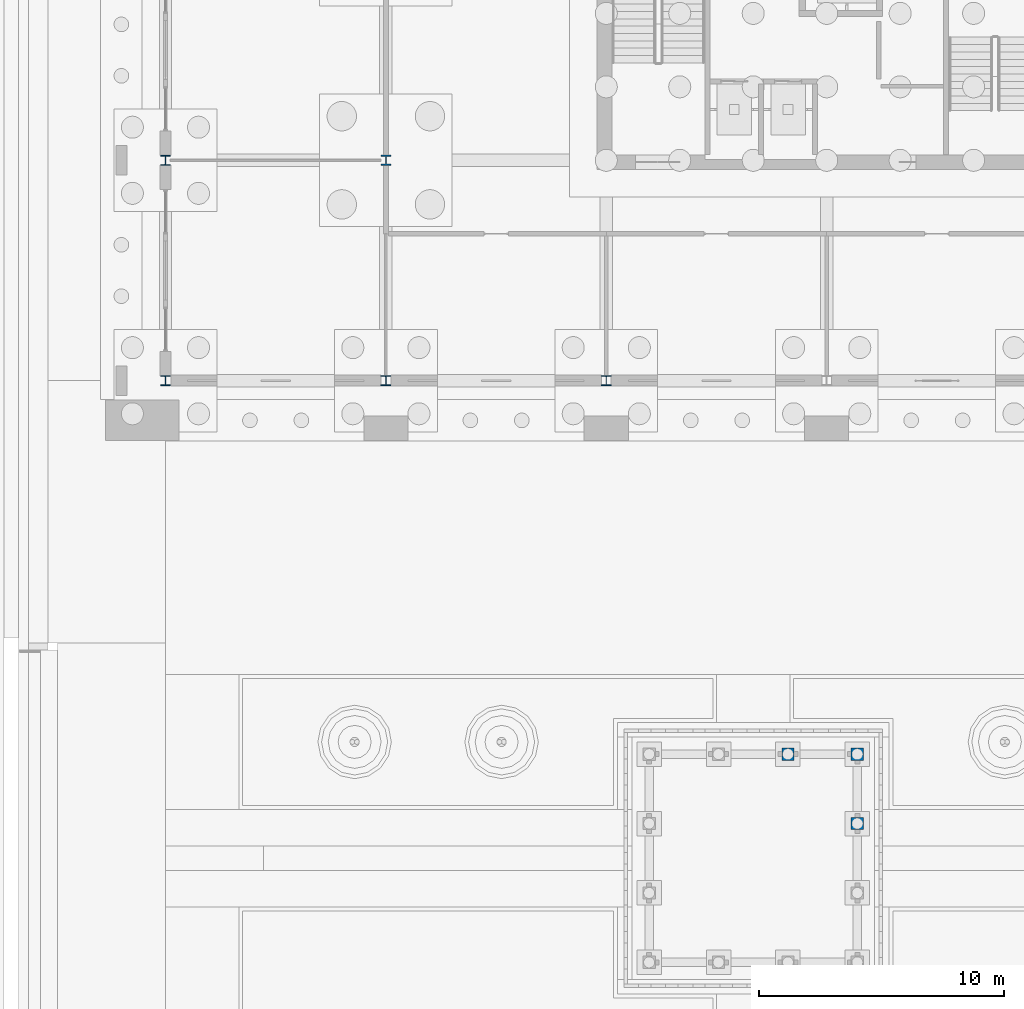
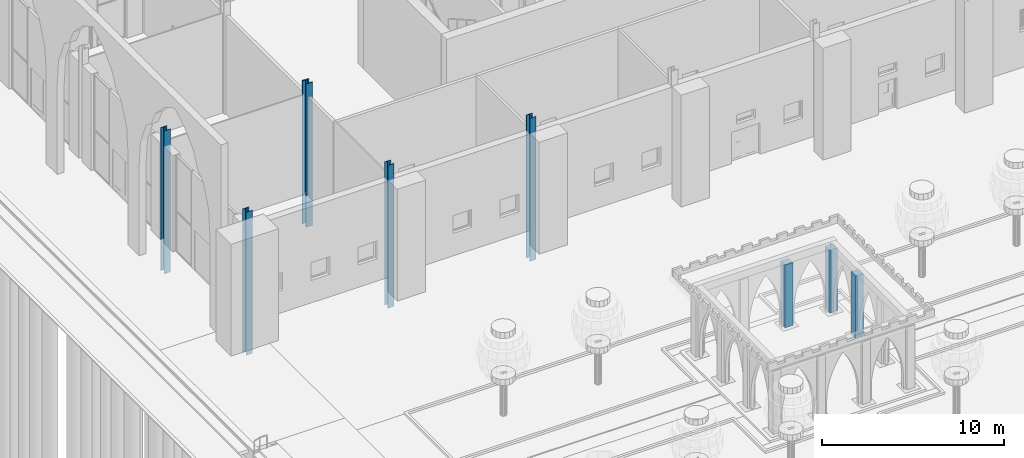
# One storey, part 14 of 250: 8 columns.
"""IFC4 building model written with IfcOpenShell, lengths in metres."""

from ifc_helpers import new_model, si_unit, direction, frame, origin, origin_2d, place, context, subcontext, project, spatial, rectangle, i_section, extrude, material, material_profile, profile_set, type_object, element, save


model = new_model("IFC4")

# Units and contexts
model_context = context("Model", 3, precision=1e-05, world=origin(), true_north=direction((0.0, 1.0)))
body_context = subcontext(model_context, "Body", "Model", "MODEL_VIEW")
ifc_project = project(units=[si_unit("LENGTHUNIT", "METRE"), si_unit("AREAUNIT", "SQUARE_METRE"), si_unit("VOLUMEUNIT", "CUBIC_METRE"), si_unit("PLANEANGLEUNIT", "RADIAN"), si_unit("MASSUNIT", "GRAM", prefix="KILO")], contexts=[model_context])

# Site, building, storey
site_placement = place(None, origin())
site = spatial("IfcSite", under=ifc_project, at=site_placement, CompositionType="ELEMENT")
building_placement = place(site_placement, origin())
building = spatial("IfcBuilding", under=site, at=building_placement, Name="Baradari Gate Terminus", CompositionType="ELEMENT")
storey_placement = place(building_placement, origin())
storey = spatial("IfcBuildingStorey", under=building, at=storey_placement, Name="L00", CompositionType="ELEMENT", Elevation=0.0)

# Columns
ifc_material_1 = material(Name="Precast concrete C40/50", Category="concrete")
ifc_material_profile_1 = material_profile(ifc_material_1, rectangle(XDim=0.5, YDim=0.5, at=origin_2d()), Name="RC500X500")
ifc_profile_set_1 = profile_set([ifc_material_profile_1], Name="Precast concrete C40/50")
column_type_1 = type_object("IfcColumnType", Name="Court pavilion column CPC-1 500x500", PredefinedType="COLUMN", material=ifc_profile_set_1)
for number, where, z_axis, x_axis, name in (
    (1, (37.25, 98.916748046875, 0.14990234375), (0.0, 0.0, 1.0), (1.0, 0.0, 0.0), "Court pavilion column 6"),
    (2, (37.25, 101.75, 0.14990234375), (0.0, 0.0, 1.0), (1.0, 0.0, 0.0), "Court pavilion column 7"),
    (3, (34.416748046875, 101.75, 0.14990234375), (0.0, 0.0, 1.0), (1.0, 0.0, 0.0), "Court pavilion column 8"),
):
    element("IfcColumn", number, at=place(storey_placement, frame(where, z_axis=z_axis, x_axis=x_axis)), inside=storey, type_object=column_type_1, Name=name, PredefinedType="COLUMN", context=body_context, shape_type="SweptSolid", body=[
        extrude(rectangle(XDim=0.5, YDim=0.5, at=origin_2d()), origin(), (0.0, 0.0, 1.0), 4.2001953125),
    ])
ifc_material_2 = material(Name="Steel S355", Category="steel")
ifc_material_profile_2 = material_profile(ifc_material_2, i_section(OverallWidth=0.412109375, OverallDepth=0.4365234375, WebThickness=0.035888671875, FlangeThickness=0.05810546875, FilletRadius=0.01513671875, at=origin_2d()), Name="UC 356x406x467")
ifc_profile_set_2 = profile_set([ifc_material_profile_2], Name="Steel S355")
column_type_2 = type_object("IfcColumnType", Name="Operations block column C02 UC 356x406x467", PredefinedType="COLUMN", material=ifc_profile_set_2)
column_placement = place(storey_placement, frame((18.0, 126.0, -2.10009765625), z_axis=(0.0, 0.0, 1.0), x_axis=(1.0, 0.0, 0.0)))
element("IfcColumn", 4, at=column_placement, inside=storey, type_object=column_type_2, Name="C02 column 3-Q L00", PredefinedType="COLUMN", context=body_context, shape_type="SweptSolid", body=[
    extrude(i_section(OverallWidth=0.412109375, OverallDepth=0.4365234375, WebThickness=0.035888671875, FlangeThickness=0.05810546875, FilletRadius=0.01513671875, at=origin_2d()), origin(), (0.0, 0.0, 1.0), 9.60009765625),
])
ifc_material_3 = material(Name="Steel S355", Category="steel")
ifc_material_profile_3 = material_profile(ifc_material_3, i_section(OverallWidth=0.39892578125, OverallDepth=0.3935546875, WebThickness=0.015869140625, FlangeThickness=0.02490234375, FilletRadius=0.01513671875, at=origin_2d()), Name="UC 356x406x287")
ifc_profile_set_3 = profile_set([ifc_material_profile_3], Name="Steel S355")
column_type_3 = type_object("IfcColumnType", Name="Operations block perimeter column C01 UC 356x406x287", PredefinedType="COLUMN", material=ifc_profile_set_3)
for number, where, z_axis, x_axis, name in (
    (5, (9.0, 117.0, -2.10009765625), (0.0, 0.0, 1.0), (1.0, 0.0, 0.0), "C01 column 2-P L00"),
    (6, (9.0, 126.0, -2.10009765625), (0.0, 0.0, 1.0), (1.0, 0.0, 0.0), "C01 column 2-Q L00"),
    (7, (18.0, 117.0, -2.10009765625), (0.0, 0.0, 1.0), (1.0, 0.0, 0.0), "C01 column 3-P L00"),
    (8, (27.0, 117.0, -2.10009765625), (0.0, 0.0, 1.0), (1.0, 0.0, 0.0), "C01 column 4-P L00"),
):
    element("IfcColumn", number, at=place(storey_placement, frame(where, z_axis=z_axis, x_axis=x_axis)), inside=storey, type_object=column_type_3, Name=name, PredefinedType="COLUMN", context=body_context, shape_type="SweptSolid", body=[
        extrude(i_section(OverallWidth=0.39892578125, OverallDepth=0.3935546875, WebThickness=0.015869140625, FlangeThickness=0.02490234375, FilletRadius=0.01513671875, at=origin_2d()), origin(), (0.0, 0.0, 1.0), 9.60009765625),
    ])

save(model, "model.ifc")
